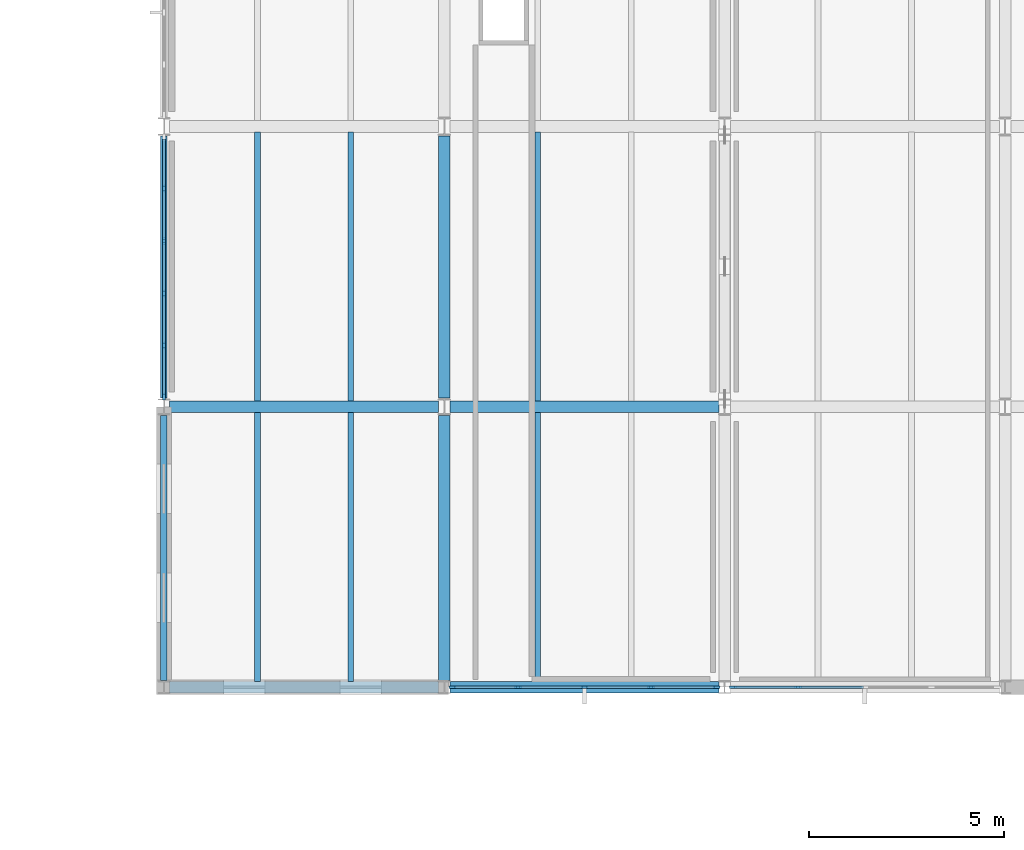
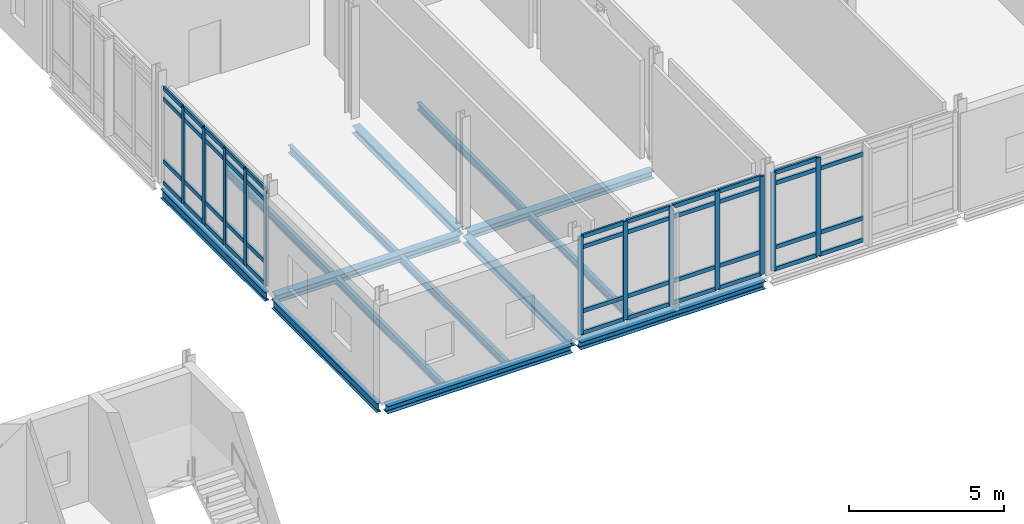
# One storey, part 27 of 76: 55 members, 14 beams, 3 elements without a shape of their own.
"""IFC4 building model written with IfcOpenShell, lengths in metres."""

from ifc_helpers import new_model, si_unit, direction, frame, origin, origin_2d, place, context, subcontext, project, spatial, rectangle, i_section, extrude, material, layer, layer_set, material_profile, profile_set, type_object, element, aggregate, save


model = new_model("IFC4")

# Units and contexts
model_context = context("Model", 3, precision=1e-05, world=origin(), true_north=direction((0.0, 1.0)))
body_context = subcontext(model_context, "Body", "Model", "MODEL_VIEW")
ifc_project = project(units=[si_unit("LENGTHUNIT", "METRE"), si_unit("AREAUNIT", "SQUARE_METRE"), si_unit("VOLUMEUNIT", "CUBIC_METRE"), si_unit("PLANEANGLEUNIT", "RADIAN"), si_unit("MASSUNIT", "GRAM", prefix="KILO")], contexts=[model_context])

# Site, building, storey
site_placement = place(None, origin())
site = spatial("IfcSite", under=ifc_project, at=site_placement, CompositionType="ELEMENT")
building_placement = place(site_placement, origin())
building = spatial("IfcBuilding", under=site, at=building_placement, Name="Zarrinpeak Specialist Clinic", CompositionType="ELEMENT")
storey_placement = place(building_placement, frame((0.0, 0.0, 5.199951171875)))
storey = spatial("IfcBuildingStorey", under=building, at=storey_placement, Name="L01", CompositionType="ELEMENT", Elevation=5.199951171875)

# Beams
ifc_material_1 = material(Name="Steel S355", Category="steel")
ifc_material_profile_1 = material_profile(ifc_material_1, i_section(OverallWidth=0.300048828125, OverallDepth=0.2900390625, WebThickness=0.008544921875, FlangeThickness=0.013916015625, FilletRadius=0.027099609375, at=origin_2d()), Name="HEA 300")
ifc_profile_set_1 = profile_set([ifc_material_profile_1], Name="Steel S355")
beam_type_1 = type_object("IfcBeamType", Name="BM-HEA300", PredefinedType="BEAM", material=ifc_profile_set_1)
for number, where, z_axis, x_axis, name in (
    (1, (36.14794921875, 82.0, -0.375), (1.0, 0.0, 0.0), (0.0, 1.0, 0.0), "L01 Primary Floor Girder BM-L01-X0809"),
    (2, (43.347900390625, 82.0, -0.375), (1.0, 0.0, 0.0), (0.0, 1.0, 0.0), "L01 Primary Floor Girder BM-L01-X0810"),
    (3, (36.14794921875, 89.199951171875, -0.375), (1.0, 0.0, 0.0), (0.0, 1.0, 0.0), "L01 Primary Floor Girder BM-L01-X0813"),
    (4, (43.347900390625, 89.199951171875, -0.375), (1.0, 0.0, 0.0), (0.0, 1.0, 0.0), "L01 Primary Floor Girder BM-L01-X0814"),
):
    element("IfcBeam", number, at=place(storey_placement, frame(where, z_axis=z_axis, x_axis=x_axis)), inside=storey, type_object=beam_type_1, Name=name, PredefinedType="BEAM", context=body_context, shape_type="SweptSolid", body=[
        extrude(i_section(OverallWidth=0.300048828125, OverallDepth=0.2900390625, WebThickness=0.008544921875, FlangeThickness=0.013916015625, FilletRadius=0.027099609375, at=origin_2d()), origin(), (0.0, 0.0, 1.0), 6.904052734375),
    ])
beam_1_placement = place(storey_placement, frame((43.199951171875, 82.177978515625, -0.375), z_axis=(0.0, 1.0, 0.0), x_axis=(-1.0, 0.0, 0.0)))
element("IfcBeam", 5, at=beam_1_placement, inside=storey, type_object=beam_type_1, Name="L01 Primary Beam BM-L01-Y0893", PredefinedType="BEAM", context=body_context, shape_type="SweptSolid", body=[
    extrude(i_section(OverallWidth=0.300048828125, OverallDepth=0.2900390625, WebThickness=0.008544921875, FlangeThickness=0.013916015625, FilletRadius=0.027099609375, at=origin_2d()), origin(), (0.0, 0.0, 1.0), 6.799072265625),
])
beam_2_placement = place(storey_placement, frame((43.199951171875, 89.423095703125, -0.375), z_axis=(0.0, 1.0, 0.0), x_axis=(-1.0, 0.0, 0.0)))
element("IfcBeam", 6, at=beam_2_placement, inside=storey, type_object=beam_type_1, Name="L01 Primary Beam BM-L01-Y0894", PredefinedType="BEAM", context=body_context, shape_type="SweptSolid", body=[
    extrude(i_section(OverallWidth=0.300048828125, OverallDepth=0.2900390625, WebThickness=0.008544921875, FlangeThickness=0.013916015625, FilletRadius=0.027099609375, at=origin_2d()), origin(), (0.0, 0.0, 1.0), 6.72900390625),
])
ifc_material_profile_2 = material_profile(ifc_material_1, i_section(OverallWidth=0.14990234375, OverallDepth=0.300048828125, WebThickness=0.007080078125, FlangeThickness=0.0107421875, FilletRadius=0.014892578125, at=origin_2d()), Name="IPE 300")
ifc_profile_set_2 = profile_set([ifc_material_profile_2], Name="Steel S355")
beam_type_2 = type_object("IfcBeamType", Name="BM-JST300", PredefinedType="JOIST", material=ifc_profile_set_2)
for number, where, z_axis, x_axis, name in (
    (7, (38.39990234375, 82.14794921875, -0.3798828125), (0.0, 1.0, 0.0), (-1.0, 0.0, 0.0), "L01 Composite Floor Joist JST-L01-1076"),
    (8, (40.800048828125, 82.14794921875, -0.3798828125), (0.0, 1.0, 0.0), (-1.0, 0.0, 0.0), "L01 Composite Floor Joist JST-L01-1077"),
    (9, (38.39990234375, 89.347900390625, -0.3798828125), (0.0, 1.0, 0.0), (-1.0, 0.0, 0.0), "L01 Composite Floor Joist JST-L01-1078"),
    (10, (40.800048828125, 89.347900390625, -0.3798828125), (0.0, 1.0, 0.0), (-1.0, 0.0, 0.0), "L01 Composite Floor Joist JST-L01-1079"),
    (11, (45.60009765625, 82.14794921875, -0.3798828125), (0.0, 1.0, 0.0), (-1.0, 0.0, 0.0), "L01 Composite Floor Joist JST-L01-1082"),
    (12, (45.60009765625, 89.347900390625, -0.3798828125), (0.0, 1.0, 0.0), (-1.0, 0.0, 0.0), "L01 Composite Floor Joist JST-L01-1084"),
):
    element("IfcBeam", number, at=place(storey_placement, frame(where, z_axis=z_axis, x_axis=x_axis)), inside=storey, type_object=beam_type_2, Name=name, PredefinedType="JOIST", context=body_context, shape_type="SweptSolid", body=[
        extrude(i_section(OverallWidth=0.14990234375, OverallDepth=0.300048828125, WebThickness=0.007080078125, FlangeThickness=0.0107421875, FilletRadius=0.014892578125, at=origin_2d()), origin(), (0.0, 0.0, 1.0), 6.904052734375),
    ])
ifc_material_profile_3 = material_profile(ifc_material_1, i_section(OverallWidth=0.169921875, OverallDepth=0.360107421875, WebThickness=0.008056640625, FlangeThickness=0.0126953125, FilletRadius=0.01806640625, at=origin_2d()), Name="IPE 360")
ifc_profile_set_3 = profile_set([ifc_material_profile_3], Name="Steel S355")
beam_type_3 = type_object("IfcBeamType", Name="BM-SP360", PredefinedType="SPANDREL", material=ifc_profile_set_3)
beam_3_placement = place(storey_placement, frame((36.0, 82.177978515625, -0.409912109375), z_axis=(0.0, 1.0, 0.0), x_axis=(-1.0, 0.0, 0.0)))
element("IfcBeam", 13, at=beam_3_placement, inside=storey, type_object=beam_type_3, Name="L01 Perimeter Spandrel Beam BM-L01-Y0887", PredefinedType="SPANDREL", context=body_context, shape_type="SweptSolid", body=[
    extrude(i_section(OverallWidth=0.169921875, OverallDepth=0.360107421875, WebThickness=0.008056640625, FlangeThickness=0.0126953125, FilletRadius=0.01806640625, at=origin_2d()), origin(), (0.0, 0.0, 1.0), 6.799072265625),
])
beam_4_placement = place(storey_placement, frame((36.0, 89.423095703125, -0.409912109375), z_axis=(0.0, 1.0, 0.0), x_axis=(-1.0, 0.0, 0.0)))
element("IfcBeam", 14, at=beam_4_placement, inside=storey, type_object=beam_type_3, Name="L01 Perimeter Spandrel Beam BM-L01-Y0888", PredefinedType="SPANDREL", context=body_context, shape_type="SweptSolid", body=[
    extrude(i_section(OverallWidth=0.169921875, OverallDepth=0.360107421875, WebThickness=0.008056640625, FlangeThickness=0.0126953125, FilletRadius=0.01806640625, at=origin_2d()), origin(), (0.0, 0.0, 1.0), 6.72900390625),
])

# Curtain wall, members
ifc_material_2 = material(Name="Anodised Aluminium Alloy 6063-T6", Category="aluminium")
ifc_layer_1 = layer(ifc_material_2, 0.179931640625)
ifc_layer_set_1 = layer_set([ifc_layer_1], Name="Anodised Aluminium Alloy 6063-T6")
curtain_wall_type_1 = type_object("IfcCurtainWallType", Name="CW-COURT", PredefinedType="NOTDEFINED", material=ifc_layer_set_1)
curtain_wall_1_placement = place(storey_placement, origin())
curtain_wall_1 = element("IfcCurtainWall", 15, at=curtain_wall_1_placement, inside=storey, type_object=curtain_wall_type_1, Name="L01 V6 Unitised Curtain Wall CW-L01-V6-135", PredefinedType="NOTDEFINED")
ifc_material_profile_4 = material_profile(ifc_material_2, rectangle(XDim=0.074951171875, YDim=0.179931640625, at=origin_2d()), Name="ALU 75x180")
ifc_profile_set_4 = profile_set([ifc_material_profile_4], Name="Anodised Aluminium Alloy 6063-T6")
member_type_1 = type_object("IfcMemberType", Name="CWM-75", PredefinedType="MULLION", material=ifc_profile_set_4)
member_1_placement = place(storey_placement, frame((43.41259765625, 82.0, 0.0), z_axis=(0.0, 0.0, 1.0), x_axis=(0.0, 1.0, 0.0)))
member_1 = element("IfcMember", 16, at=member_1_placement, type_object=member_type_1, Name="CW-01 mullion 1", PredefinedType="MULLION", context=body_context, shape_type="SweptSolid", body=[
    extrude(rectangle(XDim=0.074951171875, YDim=0.179931640625, at=origin_2d()), origin(), (0.0, 0.0, 1.0), 3.880126953125),
])
member_2_placement = place(storey_placement, frame((45.08740234375, 82.0, 0.0), z_axis=(0.0, 0.0, 1.0), x_axis=(0.0, 1.0, 0.0)))
member_2 = element("IfcMember", 17, at=member_2_placement, type_object=member_type_1, Name="CW-01 mullion 2", PredefinedType="MULLION", context=body_context, shape_type="SweptSolid", body=[
    extrude(rectangle(XDim=0.074951171875, YDim=0.179931640625, at=origin_2d()), origin(), (0.0, 0.0, 1.0), 3.880126953125),
])
member_3_placement = place(storey_placement, frame((46.800048828125, 82.0, 0.0), z_axis=(0.0, 0.0, 1.0), x_axis=(0.0, 1.0, 0.0)))
member_3 = element("IfcMember", 18, at=member_3_placement, type_object=member_type_1, Name="CW-01 mullion 3", PredefinedType="MULLION", context=body_context, shape_type="SweptSolid", body=[
    extrude(rectangle(XDim=0.074951171875, YDim=0.179931640625, at=origin_2d()), origin(), (0.0, 0.0, 1.0), 3.880126953125),
])
member_4_placement = place(storey_placement, frame((48.512451171875, 82.0, 0.0), z_axis=(0.0, 0.0, 1.0), x_axis=(0.0, 1.0, 0.0)))
member_4 = element("IfcMember", 19, at=member_4_placement, type_object=member_type_1, Name="CW-01 mullion 4", PredefinedType="MULLION", context=body_context, shape_type="SweptSolid", body=[
    extrude(rectangle(XDim=0.074951171875, YDim=0.179931640625, at=origin_2d()), origin(), (0.0, 0.0, 1.0), 3.880126953125),
])
member_5_placement = place(storey_placement, frame((50.1875, 82.0, 0.0), z_axis=(0.0, 0.0, 1.0), x_axis=(0.0, 1.0, 0.0)))
member_5 = element("IfcMember", 20, at=member_5_placement, type_object=member_type_1, Name="CW-01 mullion 5", PredefinedType="MULLION", context=body_context, shape_type="SweptSolid", body=[
    extrude(rectangle(XDim=0.074951171875, YDim=0.179931640625, at=origin_2d()), origin(), (0.0, 0.0, 1.0), 3.880126953125),
])

curtain_wall_2_placement = place(storey_placement, origin())
curtain_wall_2 = element("IfcCurtainWall", 21, at=curtain_wall_2_placement, inside=storey, type_object=curtain_wall_type_1, Name="L01 V6 Unitised Curtain Wall CW-L01-V6-136", PredefinedType="NOTDEFINED")
member_6_placement = place(storey_placement, frame((50.612548828125, 82.0, 0.0), z_axis=(0.0, 0.0, 1.0), x_axis=(0.0, 1.0, 0.0)))
member_6 = element("IfcMember", 22, at=member_6_placement, type_object=member_type_1, Name="CW-01 mullion 1", PredefinedType="MULLION", context=body_context, shape_type="SweptSolid", body=[
    extrude(rectangle(XDim=0.074951171875, YDim=0.179931640625, at=origin_2d()), origin(), (0.0, 0.0, 1.0), 3.880126953125),
])
member_7_placement = place(storey_placement, frame((52.28759765625, 82.0, 0.0), z_axis=(0.0, 0.0, 1.0), x_axis=(0.0, 1.0, 0.0)))
member_7 = element("IfcMember", 23, at=member_7_placement, type_object=member_type_1, Name="CW-01 mullion 2", PredefinedType="MULLION", context=body_context, shape_type="SweptSolid", body=[
    extrude(rectangle(XDim=0.074951171875, YDim=0.179931640625, at=origin_2d()), origin(), (0.0, 0.0, 1.0), 3.880126953125),
])

ifc_layer_2 = layer(ifc_material_2, 0.1650390625)
ifc_layer_set_2 = layer_set([ifc_layer_2], Name="Anodised Aluminium Alloy 6063-T6")
curtain_wall_type_2 = type_object("IfcCurtainWallType", Name="CW-CLINIC", PredefinedType="NOTDEFINED", material=ifc_layer_set_2)
curtain_wall_3_placement = place(storey_placement, origin())
curtain_wall_3 = element("IfcCurtainWall", 24, at=curtain_wall_3_placement, inside=storey, type_object=curtain_wall_type_2, Name="L01 V6 Unitised Curtain Wall CW-L01-V6-137", PredefinedType="NOTDEFINED")
member_8_placement = place(storey_placement, frame((36.0, 94.804931640625, 0.0), z_axis=(0.0, 0.0, 1.0), x_axis=(1.0, 0.0, 0.0)))
member_8 = element("IfcMember", 25, at=member_8_placement, type_object=member_type_1, Name="CW-03 mullion 2", PredefinedType="MULLION", context=body_context, shape_type="SweptSolid", body=[
    extrude(rectangle(XDim=0.074951171875, YDim=0.179931640625, at=origin_2d()), origin(), (0.0, 0.0, 1.0), 3.81005859375),
])
member_9_placement = place(storey_placement, frame((36.0, 93.4599609375, 0.0), z_axis=(0.0, 0.0, 1.0), x_axis=(1.0, 0.0, 0.0)))
member_9 = element("IfcMember", 26, at=member_9_placement, type_object=member_type_1, Name="CW-03 mullion 3", PredefinedType="MULLION", context=body_context, shape_type="SweptSolid", body=[
    extrude(rectangle(XDim=0.074951171875, YDim=0.179931640625, at=origin_2d()), origin(), (0.0, 0.0, 1.0), 3.81005859375),
])
member_10_placement = place(storey_placement, frame((36.0, 92.114990234375, 0.0), z_axis=(0.0, 0.0, 1.0), x_axis=(1.0, 0.0, 0.0)))
member_10 = element("IfcMember", 27, at=member_10_placement, type_object=member_type_1, Name="CW-03 mullion 4", PredefinedType="MULLION", context=body_context, shape_type="SweptSolid", body=[
    extrude(rectangle(XDim=0.074951171875, YDim=0.179931640625, at=origin_2d()), origin(), (0.0, 0.0, 1.0), 3.81005859375),
])
member_11_placement = place(storey_placement, frame((36.0, 90.77001953125, 0.0), z_axis=(0.0, 0.0, 1.0), x_axis=(1.0, 0.0, 0.0)))
member_11 = element("IfcMember", 28, at=member_11_placement, type_object=member_type_1, Name="CW-03 mullion 5", PredefinedType="MULLION", context=body_context, shape_type="SweptSolid", body=[
    extrude(rectangle(XDim=0.074951171875, YDim=0.179931640625, at=origin_2d()), origin(), (0.0, 0.0, 1.0), 3.81005859375),
])
member_12_placement = place(storey_placement, frame((36.0, 89.46240234375, 0.0), z_axis=(0.0, 0.0, 1.0), x_axis=(1.0, 0.0, 0.0)))
member_12 = element("IfcMember", 29, at=member_12_placement, type_object=member_type_1, Name="CW-03 mullion 6", PredefinedType="MULLION", context=body_context, shape_type="SweptSolid", body=[
    extrude(rectangle(XDim=0.074951171875, YDim=0.179931640625, at=origin_2d()), origin(), (0.0, 0.0, 1.0), 3.81005859375),
])

# Member
ifc_material_profile_5 = material_profile(ifc_material_2, rectangle(XDim=0.074951171875, YDim=0.159912109375, at=origin_2d()), Name="ALU 75x160")
ifc_profile_set_5 = profile_set([ifc_material_profile_5], Name="Anodised Aluminium Alloy 6063-T6")
member_type_2 = type_object("IfcMemberType", Name="CWT-75", PredefinedType="USERDEFINED", material=ifc_profile_set_5)
member_13_placement = place(storey_placement, frame((43.449951171875, 82.0, 0.03759765625), z_axis=(1.0, 0.0, 0.0), x_axis=(0.0, 1.0, 0.0)))
member_13 = element("IfcMember", 30, at=member_13_placement, type_object=member_type_2, Name="CW-01 transom 1.1", ObjectType="TRANSOM", PredefinedType="USERDEFINED", context=body_context, shape_type="SweptSolid", body=[
    extrude(rectangle(XDim=0.074951171875, YDim=0.159912109375, at=origin_2d()), origin(), (0.0, 0.0, 1.0), 1.60009765625),
])

member_14_placement = place(storey_placement, frame((43.449951171875, 82.0, 0.900146484375), z_axis=(1.0, 0.0, 0.0), x_axis=(0.0, 1.0, 0.0)))
member_14 = element("IfcMember", 31, at=member_14_placement, type_object=member_type_2, Name="CW-01 transom 1.2", ObjectType="TRANSOM", PredefinedType="USERDEFINED", context=body_context, shape_type="SweptSolid", body=[
    extrude(rectangle(XDim=0.074951171875, YDim=0.159912109375, at=origin_2d()), origin(), (0.0, 0.0, 1.0), 1.60009765625),
])

member_15_placement = place(storey_placement, frame((43.449951171875, 82.0, 3.429931640625), z_axis=(1.0, 0.0, 0.0), x_axis=(0.0, 1.0, 0.0)))
member_15 = element("IfcMember", 32, at=member_15_placement, type_object=member_type_2, Name="CW-01 transom 1.3", ObjectType="TRANSOM", PredefinedType="USERDEFINED", context=body_context, shape_type="SweptSolid", body=[
    extrude(rectangle(XDim=0.074951171875, YDim=0.159912109375, at=origin_2d()), origin(), (0.0, 0.0, 1.0), 1.60009765625),
])

member_16_placement = place(storey_placement, frame((43.449951171875, 82.0, 3.842529296875), z_axis=(1.0, 0.0, 0.0), x_axis=(0.0, 1.0, 0.0)))
member_16 = element("IfcMember", 33, at=member_16_placement, type_object=member_type_2, Name="CW-01 transom 1.4", ObjectType="TRANSOM", PredefinedType="USERDEFINED", context=body_context, shape_type="SweptSolid", body=[
    extrude(rectangle(XDim=0.074951171875, YDim=0.159912109375, at=origin_2d()), origin(), (0.0, 0.0, 1.0), 1.60009765625),
])

member_17_placement = place(storey_placement, frame((45.125, 82.0, 0.03759765625), z_axis=(1.0, 0.0, 0.0), x_axis=(0.0, 1.0, 0.0)))
member_17 = element("IfcMember", 34, at=member_17_placement, type_object=member_type_2, Name="CW-01 transom 2.1", ObjectType="TRANSOM", PredefinedType="USERDEFINED", context=body_context, shape_type="SweptSolid", body=[
    extrude(rectangle(XDim=0.074951171875, YDim=0.159912109375, at=origin_2d()), origin(), (0.0, 0.0, 1.0), 1.637451171875),
])

member_18_placement = place(storey_placement, frame((45.125, 82.0, 0.900146484375), z_axis=(1.0, 0.0, 0.0), x_axis=(0.0, 1.0, 0.0)))
member_18 = element("IfcMember", 35, at=member_18_placement, type_object=member_type_2, Name="CW-01 transom 2.2", ObjectType="TRANSOM", PredefinedType="USERDEFINED", context=body_context, shape_type="SweptSolid", body=[
    extrude(rectangle(XDim=0.074951171875, YDim=0.159912109375, at=origin_2d()), origin(), (0.0, 0.0, 1.0), 1.637451171875),
])

member_19_placement = place(storey_placement, frame((45.125, 82.0, 3.429931640625), z_axis=(1.0, 0.0, 0.0), x_axis=(0.0, 1.0, 0.0)))
member_19 = element("IfcMember", 36, at=member_19_placement, type_object=member_type_2, Name="CW-01 transom 2.3", ObjectType="TRANSOM", PredefinedType="USERDEFINED", context=body_context, shape_type="SweptSolid", body=[
    extrude(rectangle(XDim=0.074951171875, YDim=0.159912109375, at=origin_2d()), origin(), (0.0, 0.0, 1.0), 1.637451171875),
])

member_20_placement = place(storey_placement, frame((45.125, 82.0, 3.842529296875), z_axis=(1.0, 0.0, 0.0), x_axis=(0.0, 1.0, 0.0)))
member_20 = element("IfcMember", 37, at=member_20_placement, type_object=member_type_2, Name="CW-01 transom 2.4", ObjectType="TRANSOM", PredefinedType="USERDEFINED", context=body_context, shape_type="SweptSolid", body=[
    extrude(rectangle(XDim=0.074951171875, YDim=0.159912109375, at=origin_2d()), origin(), (0.0, 0.0, 1.0), 1.637451171875),
])

member_21_placement = place(storey_placement, frame((46.83740234375, 82.0, 0.03759765625), z_axis=(1.0, 0.0, 0.0), x_axis=(0.0, 1.0, 0.0)))
member_21 = element("IfcMember", 38, at=member_21_placement, type_object=member_type_2, Name="CW-01 transom 3.1", ObjectType="TRANSOM", PredefinedType="USERDEFINED", context=body_context, shape_type="SweptSolid", body=[
    extrude(rectangle(XDim=0.074951171875, YDim=0.159912109375, at=origin_2d()), origin(), (0.0, 0.0, 1.0), 1.6376953125),
])

member_22_placement = place(storey_placement, frame((46.83740234375, 82.0, 0.900146484375), z_axis=(1.0, 0.0, 0.0), x_axis=(0.0, 1.0, 0.0)))
member_22 = element("IfcMember", 39, at=member_22_placement, type_object=member_type_2, Name="CW-01 transom 3.2", ObjectType="TRANSOM", PredefinedType="USERDEFINED", context=body_context, shape_type="SweptSolid", body=[
    extrude(rectangle(XDim=0.074951171875, YDim=0.159912109375, at=origin_2d()), origin(), (0.0, 0.0, 1.0), 1.6376953125),
])

member_23_placement = place(storey_placement, frame((46.83740234375, 82.0, 3.429931640625), z_axis=(1.0, 0.0, 0.0), x_axis=(0.0, 1.0, 0.0)))
member_23 = element("IfcMember", 40, at=member_23_placement, type_object=member_type_2, Name="CW-01 transom 3.3", ObjectType="TRANSOM", PredefinedType="USERDEFINED", context=body_context, shape_type="SweptSolid", body=[
    extrude(rectangle(XDim=0.074951171875, YDim=0.159912109375, at=origin_2d()), origin(), (0.0, 0.0, 1.0), 1.6376953125),
])

member_24_placement = place(storey_placement, frame((46.83740234375, 82.0, 3.842529296875), z_axis=(1.0, 0.0, 0.0), x_axis=(0.0, 1.0, 0.0)))
member_24 = element("IfcMember", 41, at=member_24_placement, type_object=member_type_2, Name="CW-01 transom 3.4", ObjectType="TRANSOM", PredefinedType="USERDEFINED", context=body_context, shape_type="SweptSolid", body=[
    extrude(rectangle(XDim=0.074951171875, YDim=0.159912109375, at=origin_2d()), origin(), (0.0, 0.0, 1.0), 1.6376953125),
])

member_25_placement = place(storey_placement, frame((48.550048828125, 82.0, 0.03759765625), z_axis=(1.0, 0.0, 0.0), x_axis=(0.0, 1.0, 0.0)))
member_25 = element("IfcMember", 42, at=member_25_placement, type_object=member_type_2, Name="CW-01 transom 4.1", ObjectType="TRANSOM", PredefinedType="USERDEFINED", context=body_context, shape_type="SweptSolid", body=[
    extrude(rectangle(XDim=0.074951171875, YDim=0.159912109375, at=origin_2d()), origin(), (0.0, 0.0, 1.0), 1.599853515625),
])

member_26_placement = place(storey_placement, frame((48.550048828125, 82.0, 0.900146484375), z_axis=(1.0, 0.0, 0.0), x_axis=(0.0, 1.0, 0.0)))
member_26 = element("IfcMember", 43, at=member_26_placement, type_object=member_type_2, Name="CW-01 transom 4.2", ObjectType="TRANSOM", PredefinedType="USERDEFINED", context=body_context, shape_type="SweptSolid", body=[
    extrude(rectangle(XDim=0.074951171875, YDim=0.159912109375, at=origin_2d()), origin(), (0.0, 0.0, 1.0), 1.599853515625),
])

member_27_placement = place(storey_placement, frame((48.550048828125, 82.0, 3.429931640625), z_axis=(1.0, 0.0, 0.0), x_axis=(0.0, 1.0, 0.0)))
member_27 = element("IfcMember", 44, at=member_27_placement, type_object=member_type_2, Name="CW-01 transom 4.3", ObjectType="TRANSOM", PredefinedType="USERDEFINED", context=body_context, shape_type="SweptSolid", body=[
    extrude(rectangle(XDim=0.074951171875, YDim=0.159912109375, at=origin_2d()), origin(), (0.0, 0.0, 1.0), 1.599853515625),
])

member_28_placement = place(storey_placement, frame((48.550048828125, 82.0, 3.842529296875), z_axis=(1.0, 0.0, 0.0), x_axis=(0.0, 1.0, 0.0)))
member_28 = element("IfcMember", 45, at=member_28_placement, type_object=member_type_2, Name="CW-01 transom 4.4", ObjectType="TRANSOM", PredefinedType="USERDEFINED", context=body_context, shape_type="SweptSolid", body=[
    extrude(rectangle(XDim=0.074951171875, YDim=0.159912109375, at=origin_2d()), origin(), (0.0, 0.0, 1.0), 1.599853515625),
])

aggregate(curtain_wall_1, [member_1, member_2, member_3, member_4, member_5, member_13, member_14, member_15, member_16, member_17, member_18, member_19, member_20, member_21, member_22, member_23, member_24, member_25, member_26, member_27, member_28])

member_29_placement = place(storey_placement, frame((50.64990234375, 82.0, 0.03759765625), z_axis=(1.0, 0.0, 0.0), x_axis=(0.0, 1.0, 0.0)))
member_29 = element("IfcMember", 46, at=member_29_placement, type_object=member_type_2, Name="CW-01 transom 1.1", ObjectType="TRANSOM", PredefinedType="USERDEFINED", context=body_context, shape_type="SweptSolid", body=[
    extrude(rectangle(XDim=0.074951171875, YDim=0.159912109375, at=origin_2d()), origin(), (0.0, 0.0, 1.0), 1.60009765625),
])

member_30_placement = place(storey_placement, frame((50.64990234375, 82.0, 0.900146484375), z_axis=(1.0, 0.0, 0.0), x_axis=(0.0, 1.0, 0.0)))
member_30 = element("IfcMember", 47, at=member_30_placement, type_object=member_type_2, Name="CW-01 transom 1.2", ObjectType="TRANSOM", PredefinedType="USERDEFINED", context=body_context, shape_type="SweptSolid", body=[
    extrude(rectangle(XDim=0.074951171875, YDim=0.159912109375, at=origin_2d()), origin(), (0.0, 0.0, 1.0), 1.60009765625),
])

member_31_placement = place(storey_placement, frame((50.64990234375, 82.0, 3.429931640625), z_axis=(1.0, 0.0, 0.0), x_axis=(0.0, 1.0, 0.0)))
member_31 = element("IfcMember", 48, at=member_31_placement, type_object=member_type_2, Name="CW-01 transom 1.3", ObjectType="TRANSOM", PredefinedType="USERDEFINED", context=body_context, shape_type="SweptSolid", body=[
    extrude(rectangle(XDim=0.074951171875, YDim=0.159912109375, at=origin_2d()), origin(), (0.0, 0.0, 1.0), 1.60009765625),
])

member_32_placement = place(storey_placement, frame((50.64990234375, 82.0, 3.842529296875), z_axis=(1.0, 0.0, 0.0), x_axis=(0.0, 1.0, 0.0)))
member_32 = element("IfcMember", 49, at=member_32_placement, type_object=member_type_2, Name="CW-01 transom 1.4", ObjectType="TRANSOM", PredefinedType="USERDEFINED", context=body_context, shape_type="SweptSolid", body=[
    extrude(rectangle(XDim=0.074951171875, YDim=0.159912109375, at=origin_2d()), origin(), (0.0, 0.0, 1.0), 1.60009765625),
])

member_33_placement = place(storey_placement, frame((52.324951171875, 82.0, 0.03759765625), z_axis=(1.0, 0.0, 0.0), x_axis=(0.0, 1.0, 0.0)))
member_33 = element("IfcMember", 50, at=member_33_placement, type_object=member_type_2, Name="CW-01 transom 2.1", ObjectType="TRANSOM", PredefinedType="USERDEFINED", context=body_context, shape_type="SweptSolid", body=[
    extrude(rectangle(XDim=0.074951171875, YDim=0.159912109375, at=origin_2d()), origin(), (0.0, 0.0, 1.0), 1.637451171875),
])

member_34_placement = place(storey_placement, frame((52.324951171875, 82.0, 0.900146484375), z_axis=(1.0, 0.0, 0.0), x_axis=(0.0, 1.0, 0.0)))
member_34 = element("IfcMember", 51, at=member_34_placement, type_object=member_type_2, Name="CW-01 transom 2.2", ObjectType="TRANSOM", PredefinedType="USERDEFINED", context=body_context, shape_type="SweptSolid", body=[
    extrude(rectangle(XDim=0.074951171875, YDim=0.159912109375, at=origin_2d()), origin(), (0.0, 0.0, 1.0), 1.637451171875),
])

member_35_placement = place(storey_placement, frame((52.324951171875, 82.0, 3.429931640625), z_axis=(1.0, 0.0, 0.0), x_axis=(0.0, 1.0, 0.0)))
member_35 = element("IfcMember", 52, at=member_35_placement, type_object=member_type_2, Name="CW-01 transom 2.3", ObjectType="TRANSOM", PredefinedType="USERDEFINED", context=body_context, shape_type="SweptSolid", body=[
    extrude(rectangle(XDim=0.074951171875, YDim=0.159912109375, at=origin_2d()), origin(), (0.0, 0.0, 1.0), 1.637451171875),
])

aggregate(curtain_wall_2, [member_6, member_7, member_29, member_30, member_31, member_32, member_33, member_34, member_35])

member_36_placement = place(storey_placement, frame((36.0, 96.074951171875, 0.03759765625), z_axis=(0.0, -1.0, 0.0), x_axis=(1.0, 0.0, 0.0)))
member_36 = element("IfcMember", 53, at=member_36_placement, type_object=member_type_2, Name="CW-03 transom 1.1", ObjectType="TRANSOM", PredefinedType="USERDEFINED", context=body_context, shape_type="SweptSolid", body=[
    extrude(rectangle(XDim=0.074951171875, YDim=0.159912109375, at=origin_2d()), origin(), (0.0, 0.0, 1.0), 1.232421875),
])

member_37_placement = place(storey_placement, frame((36.0, 96.074951171875, 0.900146484375), z_axis=(0.0, -1.0, 0.0), x_axis=(1.0, 0.0, 0.0)))
member_37 = element("IfcMember", 54, at=member_37_placement, type_object=member_type_2, Name="CW-03 transom 1.2", ObjectType="TRANSOM", PredefinedType="USERDEFINED", context=body_context, shape_type="SweptSolid", body=[
    extrude(rectangle(XDim=0.074951171875, YDim=0.159912109375, at=origin_2d()), origin(), (0.0, 0.0, 1.0), 1.232421875),
])

member_38_placement = place(storey_placement, frame((36.0, 96.074951171875, 3.360107421875), z_axis=(0.0, -1.0, 0.0), x_axis=(1.0, 0.0, 0.0)))
member_38 = element("IfcMember", 55, at=member_38_placement, type_object=member_type_2, Name="CW-03 transom 1.3", ObjectType="TRANSOM", PredefinedType="USERDEFINED", context=body_context, shape_type="SweptSolid", body=[
    extrude(rectangle(XDim=0.074951171875, YDim=0.159912109375, at=origin_2d()), origin(), (0.0, 0.0, 1.0), 1.232421875),
])

member_39_placement = place(storey_placement, frame((36.0, 96.074951171875, 3.7724609375), z_axis=(0.0, -1.0, 0.0), x_axis=(1.0, 0.0, 0.0)))
member_39 = element("IfcMember", 56, at=member_39_placement, type_object=member_type_2, Name="CW-03 transom 1.4", ObjectType="TRANSOM", PredefinedType="USERDEFINED", context=body_context, shape_type="SweptSolid", body=[
    extrude(rectangle(XDim=0.074951171875, YDim=0.159912109375, at=origin_2d()), origin(), (0.0, 0.0, 1.0), 1.232421875),
])

member_40_placement = place(storey_placement, frame((36.0, 94.767578125, 0.03759765625), z_axis=(0.0, -1.0, 0.0), x_axis=(1.0, 0.0, 0.0)))
member_40 = element("IfcMember", 57, at=member_40_placement, type_object=member_type_2, Name="CW-03 transom 2.1", ObjectType="TRANSOM", PredefinedType="USERDEFINED", context=body_context, shape_type="SweptSolid", body=[
    extrude(rectangle(XDim=0.074951171875, YDim=0.159912109375, at=origin_2d()), origin(), (0.0, 0.0, 1.0), 1.27001953125),
])

member_41_placement = place(storey_placement, frame((36.0, 94.767578125, 0.900146484375), z_axis=(0.0, -1.0, 0.0), x_axis=(1.0, 0.0, 0.0)))
member_41 = element("IfcMember", 58, at=member_41_placement, type_object=member_type_2, Name="CW-03 transom 2.2", ObjectType="TRANSOM", PredefinedType="USERDEFINED", context=body_context, shape_type="SweptSolid", body=[
    extrude(rectangle(XDim=0.074951171875, YDim=0.159912109375, at=origin_2d()), origin(), (0.0, 0.0, 1.0), 1.27001953125),
])

member_42_placement = place(storey_placement, frame((36.0, 94.767578125, 3.360107421875), z_axis=(0.0, -1.0, 0.0), x_axis=(1.0, 0.0, 0.0)))
member_42 = element("IfcMember", 59, at=member_42_placement, type_object=member_type_2, Name="CW-03 transom 2.3", ObjectType="TRANSOM", PredefinedType="USERDEFINED", context=body_context, shape_type="SweptSolid", body=[
    extrude(rectangle(XDim=0.074951171875, YDim=0.159912109375, at=origin_2d()), origin(), (0.0, 0.0, 1.0), 1.27001953125),
])

member_43_placement = place(storey_placement, frame((36.0, 94.767578125, 3.7724609375), z_axis=(0.0, -1.0, 0.0), x_axis=(1.0, 0.0, 0.0)))
member_43 = element("IfcMember", 60, at=member_43_placement, type_object=member_type_2, Name="CW-03 transom 2.4", ObjectType="TRANSOM", PredefinedType="USERDEFINED", context=body_context, shape_type="SweptSolid", body=[
    extrude(rectangle(XDim=0.074951171875, YDim=0.159912109375, at=origin_2d()), origin(), (0.0, 0.0, 1.0), 1.27001953125),
])

member_44_placement = place(storey_placement, frame((36.0, 93.422607421875, 0.03759765625), z_axis=(0.0, -1.0, 0.0), x_axis=(1.0, 0.0, 0.0)))
member_44 = element("IfcMember", 61, at=member_44_placement, type_object=member_type_2, Name="CW-03 transom 3.1", ObjectType="TRANSOM", PredefinedType="USERDEFINED", context=body_context, shape_type="SweptSolid", body=[
    extrude(rectangle(XDim=0.074951171875, YDim=0.159912109375, at=origin_2d()), origin(), (0.0, 0.0, 1.0), 1.27001953125),
])

member_45_placement = place(storey_placement, frame((36.0, 93.422607421875, 0.900146484375), z_axis=(0.0, -1.0, 0.0), x_axis=(1.0, 0.0, 0.0)))
member_45 = element("IfcMember", 62, at=member_45_placement, type_object=member_type_2, Name="CW-03 transom 3.2", ObjectType="TRANSOM", PredefinedType="USERDEFINED", context=body_context, shape_type="SweptSolid", body=[
    extrude(rectangle(XDim=0.074951171875, YDim=0.159912109375, at=origin_2d()), origin(), (0.0, 0.0, 1.0), 1.27001953125),
])

member_46_placement = place(storey_placement, frame((36.0, 93.422607421875, 3.360107421875), z_axis=(0.0, -1.0, 0.0), x_axis=(1.0, 0.0, 0.0)))
member_46 = element("IfcMember", 63, at=member_46_placement, type_object=member_type_2, Name="CW-03 transom 3.3", ObjectType="TRANSOM", PredefinedType="USERDEFINED", context=body_context, shape_type="SweptSolid", body=[
    extrude(rectangle(XDim=0.074951171875, YDim=0.159912109375, at=origin_2d()), origin(), (0.0, 0.0, 1.0), 1.27001953125),
])

member_47_placement = place(storey_placement, frame((36.0, 93.422607421875, 3.7724609375), z_axis=(0.0, -1.0, 0.0), x_axis=(1.0, 0.0, 0.0)))
member_47 = element("IfcMember", 64, at=member_47_placement, type_object=member_type_2, Name="CW-03 transom 3.4", ObjectType="TRANSOM", PredefinedType="USERDEFINED", context=body_context, shape_type="SweptSolid", body=[
    extrude(rectangle(XDim=0.074951171875, YDim=0.159912109375, at=origin_2d()), origin(), (0.0, 0.0, 1.0), 1.27001953125),
])

member_48_placement = place(storey_placement, frame((36.0, 92.077392578125, 0.03759765625), z_axis=(0.0, -1.0, 0.0), x_axis=(1.0, 0.0, 0.0)))
member_48 = element("IfcMember", 65, at=member_48_placement, type_object=member_type_2, Name="CW-03 transom 4.1", ObjectType="TRANSOM", PredefinedType="USERDEFINED", context=body_context, shape_type="SweptSolid", body=[
    extrude(rectangle(XDim=0.074951171875, YDim=0.159912109375, at=origin_2d()), origin(), (0.0, 0.0, 1.0), 1.269775390625),
])

member_49_placement = place(storey_placement, frame((36.0, 92.077392578125, 0.900146484375), z_axis=(0.0, -1.0, 0.0), x_axis=(1.0, 0.0, 0.0)))
member_49 = element("IfcMember", 66, at=member_49_placement, type_object=member_type_2, Name="CW-03 transom 4.2", ObjectType="TRANSOM", PredefinedType="USERDEFINED", context=body_context, shape_type="SweptSolid", body=[
    extrude(rectangle(XDim=0.074951171875, YDim=0.159912109375, at=origin_2d()), origin(), (0.0, 0.0, 1.0), 1.269775390625),
])

member_50_placement = place(storey_placement, frame((36.0, 92.077392578125, 3.360107421875), z_axis=(0.0, -1.0, 0.0), x_axis=(1.0, 0.0, 0.0)))
member_50 = element("IfcMember", 67, at=member_50_placement, type_object=member_type_2, Name="CW-03 transom 4.3", ObjectType="TRANSOM", PredefinedType="USERDEFINED", context=body_context, shape_type="SweptSolid", body=[
    extrude(rectangle(XDim=0.074951171875, YDim=0.159912109375, at=origin_2d()), origin(), (0.0, 0.0, 1.0), 1.269775390625),
])

member_51_placement = place(storey_placement, frame((36.0, 92.077392578125, 3.7724609375), z_axis=(0.0, -1.0, 0.0), x_axis=(1.0, 0.0, 0.0)))
member_51 = element("IfcMember", 68, at=member_51_placement, type_object=member_type_2, Name="CW-03 transom 4.4", ObjectType="TRANSOM", PredefinedType="USERDEFINED", context=body_context, shape_type="SweptSolid", body=[
    extrude(rectangle(XDim=0.074951171875, YDim=0.159912109375, at=origin_2d()), origin(), (0.0, 0.0, 1.0), 1.269775390625),
])

member_52_placement = place(storey_placement, frame((36.0, 90.732421875, 0.03759765625), z_axis=(0.0, -1.0, 0.0), x_axis=(1.0, 0.0, 0.0)))
member_52 = element("IfcMember", 69, at=member_52_placement, type_object=member_type_2, Name="CW-03 transom 5.1", ObjectType="TRANSOM", PredefinedType="USERDEFINED", context=body_context, shape_type="SweptSolid", body=[
    extrude(rectangle(XDim=0.074951171875, YDim=0.159912109375, at=origin_2d()), origin(), (0.0, 0.0, 1.0), 1.232421875),
])

member_53_placement = place(storey_placement, frame((36.0, 90.732421875, 0.900146484375), z_axis=(0.0, -1.0, 0.0), x_axis=(1.0, 0.0, 0.0)))
member_53 = element("IfcMember", 70, at=member_53_placement, type_object=member_type_2, Name="CW-03 transom 5.2", ObjectType="TRANSOM", PredefinedType="USERDEFINED", context=body_context, shape_type="SweptSolid", body=[
    extrude(rectangle(XDim=0.074951171875, YDim=0.159912109375, at=origin_2d()), origin(), (0.0, 0.0, 1.0), 1.232421875),
])

member_54_placement = place(storey_placement, frame((36.0, 90.732421875, 3.360107421875), z_axis=(0.0, -1.0, 0.0), x_axis=(1.0, 0.0, 0.0)))
member_54 = element("IfcMember", 71, at=member_54_placement, type_object=member_type_2, Name="CW-03 transom 5.3", ObjectType="TRANSOM", PredefinedType="USERDEFINED", context=body_context, shape_type="SweptSolid", body=[
    extrude(rectangle(XDim=0.074951171875, YDim=0.159912109375, at=origin_2d()), origin(), (0.0, 0.0, 1.0), 1.232421875),
])

member_55_placement = place(storey_placement, frame((36.0, 90.732421875, 3.7724609375), z_axis=(0.0, -1.0, 0.0), x_axis=(1.0, 0.0, 0.0)))
member_55 = element("IfcMember", 72, at=member_55_placement, type_object=member_type_2, Name="CW-03 transom 5.4", ObjectType="TRANSOM", PredefinedType="USERDEFINED", context=body_context, shape_type="SweptSolid", body=[
    extrude(rectangle(XDim=0.074951171875, YDim=0.159912109375, at=origin_2d()), origin(), (0.0, 0.0, 1.0), 1.232421875),
])

aggregate(curtain_wall_3, [member_8, member_9, member_10, member_11, member_12, member_36, member_37, member_38, member_39, member_40, member_41, member_42, member_43, member_44, member_45, member_46, member_47, member_48, member_49, member_50, member_51, member_52, member_53, member_54, member_55])

save(model, "model.ifc")
